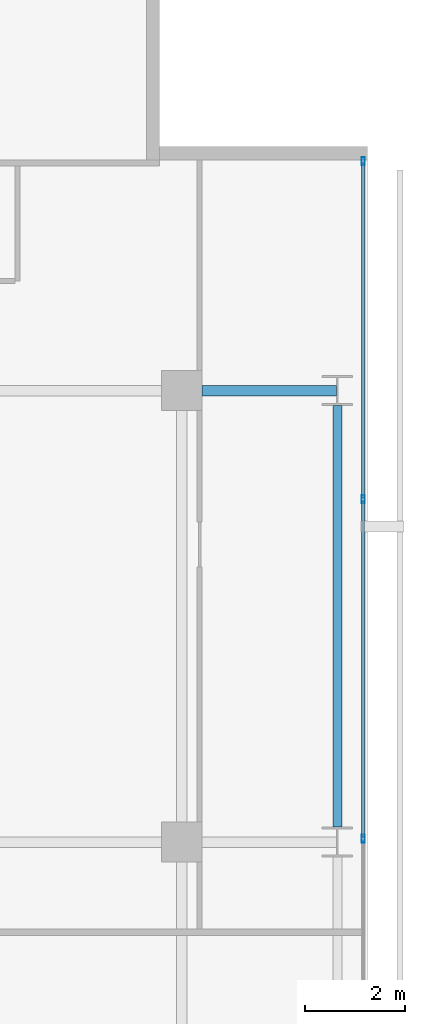
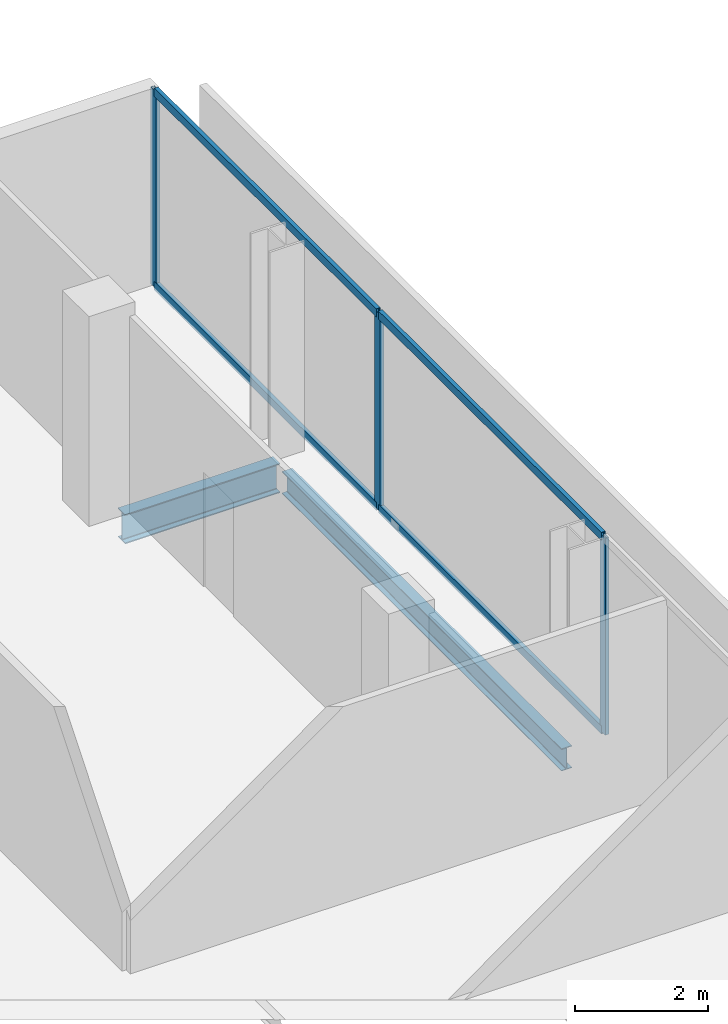
# One storey, part 24 of 32: 7 members, 2 beams, 1 element without a shape of its own.
"""IFC4 building model written with IfcOpenShell, lengths in metres."""

from ifc_helpers import new_model, si_unit, direction, frame, origin, origin_2d, place, context, subcontext, project, spatial, hollow_rectangle, i_section, extrude, material, layer, layer_set, material_profile, profile_set, type_object, element, aggregate, save


model = new_model("IFC4")

# Units and contexts
model_context = context("Model", 3, precision=1e-05, world=origin(), true_north=direction((0.0, 1.0)))
body_context = subcontext(model_context, "Body", "Model", "MODEL_VIEW")
ifc_project = project(units=[si_unit("LENGTHUNIT", "METRE"), si_unit("AREAUNIT", "SQUARE_METRE"), si_unit("VOLUMEUNIT", "CUBIC_METRE"), si_unit("PLANEANGLEUNIT", "RADIAN"), si_unit("MASSUNIT", "GRAM", prefix="KILO")], contexts=[model_context])

# Site, building, storey
site_placement = place(None, origin())
site = spatial("IfcSite", under=ifc_project, at=site_placement, CompositionType="ELEMENT")
building_placement = place(site_placement, origin())
building = spatial("IfcBuilding", under=site, at=building_placement, Name="Maruvema Waterfront Hotel and Observation Tower", CompositionType="ELEMENT")
storey_placement = place(building_placement, frame((0.0, 0.0, 219.800048828125)))
storey = spatial("IfcBuildingStorey", under=building, at=storey_placement, Name="L54", CompositionType="ELEMENT", Elevation=219.800048828125)

# Curtain wall, members
ifc_material_1 = material(Name="Anodised bronze aluminium and solar-control low-E IGU", Category="aluminium")
ifc_layer = layer(ifc_material_1, 0.159912109375, Name="Zone 2 Amber Inner Thermal Curtain Wall System CW-03")
ifc_layer_set = layer_set([ifc_layer], Name="Anodised bronze aluminium and solar-control low-E IGU")
curtain_wall_type = type_object("IfcCurtainWallType", Name="Zone 2 Amber Inner Thermal Curtain Wall System CW-03", PredefinedType="USERDEFINED", material=ifc_layer_set)
curtain_wall_placement = place(storey_placement, origin())
curtain_wall = element("IfcCurtainWall", 1, at=curtain_wall_placement, inside=storey, type_object=curtain_wall_type, Name="L54 Curtain Wall CW-L54-E", ObjectType="UNITISED CURTAIN WALL", PredefinedType="USERDEFINED")
ifc_material_2 = material(Name="Anodised architectural bronze aluminium", Category="aluminium")
ifc_material_profile_1 = material_profile(ifc_material_2, hollow_rectangle(XDim=0.070068359375, YDim=0.14990234375, WallThickness=0.00390625, at=origin_2d()), Name="ALU-T70x150")
ifc_profile_set_1 = profile_set([ifc_material_profile_1], Name="Anodised architectural bronze aluminium")
member_type_1 = type_object("IfcMemberType", Name="Curtain Wall Horizontal Transom ALU-T70x150", PredefinedType="USERDEFINED", material=ifc_profile_set_1)
member_1_placement = place(storey_placement, frame((62.419921875, 36.0966796875, 0.030029296875), z_axis=(0.0, 1.0, 0.0), x_axis=(-1.0, 0.0, 0.0)))
member_1 = element("IfcMember", 2, at=member_1_placement, type_object=member_type_1, Name="CW-03 transom 5.1", ObjectType="TRANSOM", PredefinedType="USERDEFINED", context=body_context, shape_type="SweptSolid", body=[
    extrude(hollow_rectangle(XDim=0.070068359375, YDim=0.14990234375, WallThickness=0.00390625, at=origin_2d()), origin(), (0.0, 0.0, 1.0), 6.70654296875),
])
member_2_placement = place(storey_placement, frame((62.419921875, 36.0966796875, 3.579833984375), z_axis=(0.0, 1.0, 0.0), x_axis=(-1.0, 0.0, 0.0)))
member_2 = element("IfcMember", 3, at=member_2_placement, type_object=member_type_1, Name="CW-03 transom 5.2", ObjectType="TRANSOM", PredefinedType="USERDEFINED", context=body_context, shape_type="SweptSolid", body=[
    extrude(hollow_rectangle(XDim=0.070068359375, YDim=0.14990234375, WallThickness=0.00390625, at=origin_2d()), origin(), (0.0, 0.0, 1.0), 6.70654296875),
])
member_3_placement = place(storey_placement, frame((62.419921875, 42.86328125, 0.030029296875), z_axis=(0.0, 1.0, 0.0), x_axis=(-1.0, 0.0, 0.0)))
member_3 = element("IfcMember", 4, at=member_3_placement, type_object=member_type_1, Name="CW-03 transom 6.1", ObjectType="TRANSOM", PredefinedType="USERDEFINED", context=body_context, shape_type="SweptSolid", body=[
    extrude(hollow_rectangle(XDim=0.070068359375, YDim=0.14990234375, WallThickness=0.00390625, at=origin_2d()), origin(), (0.0, 0.0, 1.0), 6.6767578125),
])
member_4_placement = place(storey_placement, frame((62.419921875, 42.86328125, 3.579833984375), z_axis=(0.0, 1.0, 0.0), x_axis=(-1.0, 0.0, 0.0)))
member_4 = element("IfcMember", 5, at=member_4_placement, type_object=member_type_1, Name="CW-03 transom 6.2", ObjectType="TRANSOM", PredefinedType="USERDEFINED", context=body_context, shape_type="SweptSolid", body=[
    extrude(hollow_rectangle(XDim=0.070068359375, YDim=0.14990234375, WallThickness=0.00390625, at=origin_2d()), origin(), (0.0, 0.0, 1.0), 6.6767578125),
])
ifc_material_3 = material(Name="Anodised architectural bronze aluminium", Category="aluminium")
ifc_material_profile_2 = material_profile(ifc_material_3, hollow_rectangle(XDim=0.06494140625, YDim=0.1650390625, WallThickness=0.00390625, at=origin_2d()), Name="ALU-M65x165")
ifc_profile_set_2 = profile_set([ifc_material_profile_2], Name="Anodised architectural bronze aluminium")
member_type_2 = type_object("IfcMemberType", Name="Curtain Wall Primary Mullion ALU-M65x165", PredefinedType="MULLION", material=ifc_profile_set_2)
member_5_placement = place(storey_placement, frame((62.419921875, 36.066650390625, 0.0), z_axis=(0.0, 0.0, 1.0), x_axis=(-1.0, 0.0, 0.0)))
member_5 = element("IfcMember", 6, at=member_5_placement, type_object=member_type_2, Name="CW-03 mullion 5", PredefinedType="MULLION", context=body_context, shape_type="SweptSolid", body=[
    extrude(hollow_rectangle(XDim=0.06494140625, YDim=0.1650390625, WallThickness=0.00390625, at=origin_2d()), origin(), (0.0, 0.0, 1.0), 3.60986328125),
])
member_6_placement = place(storey_placement, frame((62.419921875, 42.833251953125, 0.0), z_axis=(0.0, 0.0, 1.0), x_axis=(-1.0, 0.0, 0.0)))
member_6 = element("IfcMember", 7, at=member_6_placement, type_object=member_type_2, Name="CW-03 mullion 6", PredefinedType="MULLION", context=body_context, shape_type="SweptSolid", body=[
    extrude(hollow_rectangle(XDim=0.06494140625, YDim=0.1650390625, WallThickness=0.00390625, at=origin_2d()), origin(), (0.0, 0.0, 1.0), 3.60986328125),
])
member_7_placement = place(storey_placement, frame((62.419921875, 49.570068359375, 0.0), z_axis=(0.0, 0.0, 1.0), x_axis=(-1.0, 0.0, 0.0)))
member_7 = element("IfcMember", 8, at=member_7_placement, type_object=member_type_2, Name="CW-03 mullion 7", PredefinedType="MULLION", context=body_context, shape_type="SweptSolid", body=[
    extrude(hollow_rectangle(XDim=0.06494140625, YDim=0.1650390625, WallThickness=0.00390625, at=origin_2d()), origin(), (0.0, 0.0, 1.0), 3.60986328125),
])
aggregate(curtain_wall, [member_5, member_6, member_7, member_1, member_2, member_3, member_4])

# Beams
ifc_material_4 = material(Name="Steel ASTM A572 Grade 50", Category="steel")
ifc_material_profile_3 = material_profile(ifc_material_4, i_section(OverallWidth=0.178955078125, OverallDepth=0.409912109375, WebThickness=0.0087890625, FlangeThickness=0.014404296875, FilletRadius=0.014892578125, at=origin_2d()), Name="W410x67.0")
ifc_profile_set_3 = profile_set([ifc_material_profile_3], Name="Steel ASTM A572 Grade 50")
beam_type_1 = type_object("IfcBeamType", Name="Perimeter Spandrel Beam W410x67.0", PredefinedType="SPANDREL", material=ifc_profile_set_3)
beam_1_placement = place(storey_placement, frame((61.89990234375, 36.300048828125, -0.445068359375), z_axis=(0.0, 1.0, 0.0), x_axis=(-1.0, 0.0, 0.0)))
element("IfcBeam", 9, at=beam_1_placement, inside=storey, type_object=beam_type_1, Name="L54 Floor Girder NS-32", PredefinedType="SPANDREL", context=body_context, shape_type="SweptSolid", body=[
    extrude(i_section(OverallWidth=0.178955078125, OverallDepth=0.409912109375, WebThickness=0.0087890625, FlangeThickness=0.014404296875, FilletRadius=0.014892578125, at=origin_2d()), origin(), (0.0, 0.0, 1.0), 8.39990234375),
])
ifc_material_5 = material(Name="Steel ASTM A572 Grade 50", Category="steel")
ifc_material_profile_4 = material_profile(ifc_material_5, i_section(OverallWidth=0.2109375, OverallDepth=0.5390625, WebThickness=0.01171875, FlangeThickness=0.018798828125, FilletRadius=0.014892578125, at=origin_2d()), Name="W530x109.0")
ifc_profile_set_4 = profile_set([ifc_material_profile_4], Name="Steel ASTM A572 Grade 50")
beam_type_2 = type_object("IfcBeamType", Name="Primary Floor Girder W530x109.0", PredefinedType="BEAM", material=ifc_profile_set_4)
beam_2_placement = place(storey_placement, frame((59.199951171875, 45.0, -0.509521484375), z_axis=(1.0, 0.0, 0.0), x_axis=(0.0, 1.0, 0.0)))
element("IfcBeam", 10, at=beam_2_placement, inside=storey, type_object=beam_type_2, Name="L54 Floor Girder EW-33", PredefinedType="BEAM", context=body_context, shape_type="SweptSolid", body=[
    extrude(i_section(OverallWidth=0.2109375, OverallDepth=0.5390625, WebThickness=0.01171875, FlangeThickness=0.018798828125, FilletRadius=0.014892578125, at=origin_2d()), origin(), (0.0, 0.0, 1.0), 2.6875),
])

save(model, "model.ifc")
